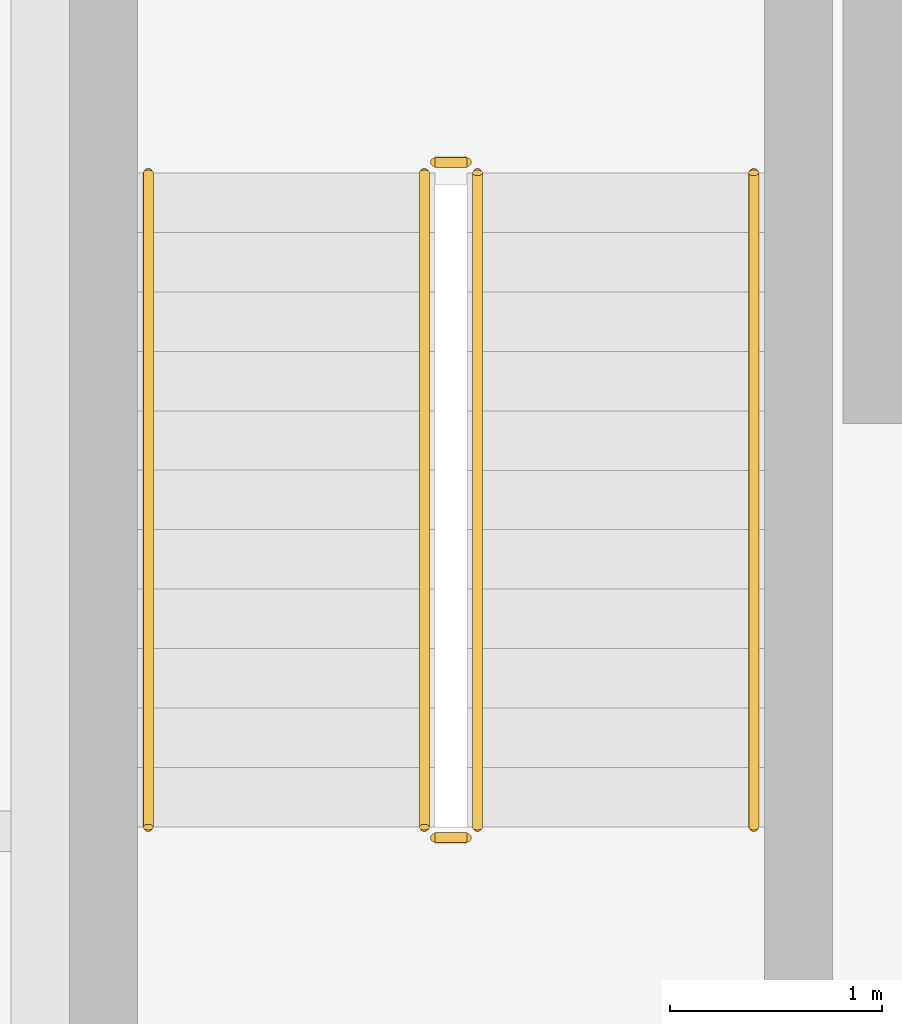
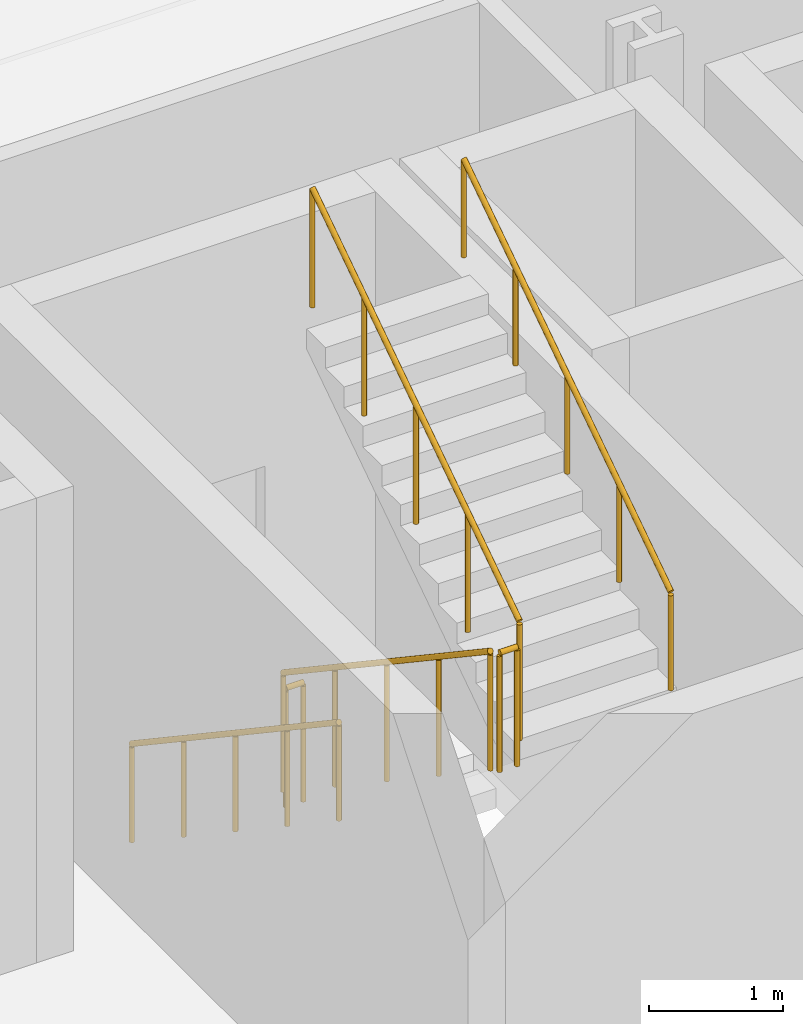
# One storey, part 22 of 25: 6 railings.
"""IFC4 building model written with IfcOpenShell, lengths in metres."""

import ifcopenshell
import ifcopenshell.guid

model = None  # the IFC model being written
_history = None  # IfcOwnerHistory: only IFC2X3 demands one
_inside = {}  # id of a spatial element -> (the spatial element, [elements in it])
_under = {}  # id of a project, library or spatial element -> (it, [spatial elements below it])
_declared = {}  # id of a project -> (the project, [libraries it declares])
_typed = {}  # id of a type object -> (the type object, [elements of that type])
_made_of = {}  # id of a material, layer set ... -> (it, [elements and type objects made of it])


def new_model(schema):
    """Start an empty IFC model of exactly this schema.

    Asked for "IFC4X3", IfcOpenShell would pick the latest addendum, in which some entities
    have other attributes; the version numbers below select the first issue.
    IFC2X3 requires an IfcOwnerHistory on every rooted entity: one is made here for all.
    """
    global model, _history
    if schema == "IFC4X3":
        model = ifcopenshell.file(schema_version=(4, 3, 0, 0))
    else:
        model = ifcopenshell.file(schema=schema)
    _inside.clear()
    _under.clear()
    _declared.clear()
    _typed.clear()
    _made_of.clear()
    _history = None
    if model.schema == "IFC2X3":
        org = make("IfcOrganization", Name="unknown")
        user = make(
            "IfcPersonAndOrganization",
            ThePerson=make("IfcPerson", FamilyName="unknown"),
            TheOrganization=org,
        )
        app = make(
            "IfcApplication",
            ApplicationDeveloper=org,
            Version="unknown",
            ApplicationFullName="unknown",
            ApplicationIdentifier="unknown",
        )
        _history = make(
            "IfcOwnerHistory",
            OwningUser=user,
            OwningApplication=app,
            ChangeAction="ADDED",
            CreationDate=0,
        )
    return model


def make(cls, **values):
    """One entity of the class cls with the attributes given. An attribute that is None is left unset."""
    return model.create_entity(
        cls, **{name: value for name, value in values.items() if value is not None}
    )


def rooted(cls, **values):
    """An entity with a GlobalId (a new one), such as an element, a storey or a relation."""
    return make(cls, GlobalId=ifcopenshell.guid.new(), OwnerHistory=_history, **values)


def si_unit(unit_type, name, prefix=None):
    """IfcSIUnit, for example si_unit("LENGTHUNIT", "METRE", prefix="MILLI")."""
    return make("IfcSIUnit", UnitType=unit_type, Prefix=prefix, Name=name)


def assignment(units):
    """IfcUnitAssignment: the units of a project."""
    return None if units is None else make("IfcUnitAssignment", Units=units)


def point(xyz):
    """IfcCartesianPoint."""
    return None if xyz is None else make("IfcCartesianPoint", Coordinates=xyz)


def direction(xyz):
    """IfcDirection."""
    return None if xyz is None else make("IfcDirection", DirectionRatios=xyz)


def frame(location, z_axis=None, x_axis=None):
    """IfcAxis2Placement3D, a coordinate frame: its origin and axes. An axis left out is left unset."""
    return make(
        "IfcAxis2Placement3D",
        Location=point(location),
        Axis=direction(z_axis),
        RefDirection=direction(x_axis),
    )


def frame_2d(location, x_axis=None):
    """IfcAxis2Placement2D, a coordinate frame in the plane: its origin and x axis."""
    return make(
        "IfcAxis2Placement2D", Location=point(location), RefDirection=direction(x_axis)
    )


def origin():
    """The frame at (0, 0, 0) with its axes left unset."""
    return frame((0.0, 0.0, 0.0))


def origin_2d():
    """The frame at (0, 0) in the plane with its x axis left unset."""
    return frame_2d((0.0, 0.0))


def place(relative_to, where):
    """IfcLocalPlacement: puts the frame where relative to a parent placement (None: the world)."""
    return make(
        "IfcLocalPlacement", PlacementRelTo=relative_to, RelativePlacement=where
    )


def context(
    kind, dimensions, precision=None, world=None, true_north=None, identifier=None
):
    """IfcGeometricRepresentationContext, for example the 3D "Model" context."""
    return make(
        "IfcGeometricRepresentationContext",
        ContextIdentifier=identifier,
        ContextType=kind,
        CoordinateSpaceDimension=dimensions,
        Precision=precision,
        WorldCoordinateSystem=world,
        TrueNorth=true_north,
    )


def subcontext(parent, identifier, kind, view, scale=None):
    """IfcGeometricRepresentationSubContext, for example "Body" below "Model"."""
    return make(
        "IfcGeometricRepresentationSubContext",
        ContextIdentifier=identifier,
        ContextType=kind,
        ParentContext=parent,
        TargetScale=scale,
        TargetView=view,
    )


def project(units=None, contexts=None):
    """IfcProject with its units and contexts."""
    return rooted(
        "IfcProject",
        Name="project",
        RepresentationContexts=contexts,
        UnitsInContext=assignment(units),
    )


def spatial(cls, under=None, at=None, **own):
    """A site, building, storey or space (cls), placed at a placement, below another one or the project."""
    s = rooted(cls, ObjectPlacement=at, **own)
    if under is not None:
        _under.setdefault(under.id(), (under, []))[1].append(s)
    return s


def profile(cls, at=None, kind="AREA", **sizes):
    """A parametric profile (cls). Its sizes go by their IFC names, for example OverallWidth=200.0."""
    return make(cls, ProfileType=kind, Position=at, **sizes)


def circle(**sizes):
    """IfcCircleProfileDef."""
    return profile("IfcCircleProfileDef", **sizes)


def extrude(swept, where, along, depth):
    """IfcExtrudedAreaSolid: the profile swept, set in the frame where, extruded along a direction by depth."""
    return make(
        "IfcExtrudedAreaSolid",
        SweptArea=swept,
        Position=where,
        ExtrudedDirection=direction(along),
        Depth=depth,
    )


def shape(context_of_items, identifier, shape_type, items):
    """IfcShapeRepresentation: the items that make up one representation, for example the "Body"."""
    return make(
        "IfcShapeRepresentation",
        ContextOfItems=context_of_items,
        RepresentationIdentifier=identifier,
        RepresentationType=shape_type,
        Items=items,
    )


def material(Name=None, Category=None):
    """IfcMaterial."""
    return make("IfcMaterial", Name=Name, Category=Category)


def made_of(thing, what):
    """Note that an element or type object is made of a material, layer set ...; save() writes the relation."""
    if what is not None:
        _made_of.setdefault(what.id(), (what, []))[1].append(thing)
    return thing


def type_object(cls, material=None, **own):
    """A type object (cls), such as IfcWallType, which elements share."""
    return made_of(rooted(cls, **own), material)


def element(
    cls,
    number,
    at=None,
    inside=None,
    cuts=None,
    type_object=None,
    material=None,
    context=None,
    identifier="Body",
    shape_type=None,
    held_by="IfcProductDefinitionShape",
    body=None,
    shapes=None,
    **own,
):
    """One element of the class cls, such as IfcWall. Its Tag is "e" and its number.

    at: its placement. inside: the storey or other place that contains it. cuts: it is an
    opening in that element (IfcRelVoidsElement). A single representation is given by context,
    identifier, shape_type and body (its items); several are given by shapes. held_by: the class
    of the entity that holds the representations. save() writes the other relations.
    """
    e = rooted(cls, Tag="e%d" % number, ObjectPlacement=at, **own)
    if body is not None:
        shapes = [shape(context, identifier, shape_type, body)]
    if shapes is not None:
        e.Representation = make(held_by, Representations=shapes)
    if inside is not None:
        _inside.setdefault(inside.id(), (inside, []))[1].append(e)
    if cuts is not None:
        rooted(
            "IfcRelVoidsElement", RelatingBuildingElement=cuts, RelatedOpeningElement=e
        )
    if type_object is not None:
        _typed.setdefault(type_object.id(), (type_object, []))[1].append(e)
    return made_of(e, material)


def aggregate(whole, parts):
    """IfcRelAggregates: a whole, such as a stair, and the parts it consists of."""
    return rooted("IfcRelAggregates", RelatingObject=whole, RelatedObjects=parts)


def save(model, path):
    """Write the relations noted so far, then the file.

    IfcRelAggregates (storeys below a building ...), IfcRelContainedInSpatialStructure (elements
    in a storey), IfcRelDefinesByType, IfcRelAssociatesMaterial and IfcRelDeclares: one each for
    every whole, place, type object, material and project.
    """
    for whole, parts in _under.values():
        aggregate(whole, parts)
    for where, things in _inside.values():
        rooted(
            "IfcRelContainedInSpatialStructure",
            RelatedElements=things,
            RelatingStructure=where,
        )
    for kind, things in _typed.values():
        rooted("IfcRelDefinesByType", RelatedObjects=things, RelatingType=kind)
    for what, things in _made_of.values():
        rooted("IfcRelAssociatesMaterial", RelatedObjects=things, RelatingMaterial=what)
    for by, libraries in _declared.values():
        rooted("IfcRelDeclares", RelatingContext=by, RelatedDefinitions=libraries)
    model.write(path)


model = new_model("IFC4")

# Units and contexts
model_context = context("Model", 3, precision=1e-05, world=origin(), true_north=direction((0.0, 1.0)))
body_context = subcontext(model_context, "Body", "Model", "MODEL_VIEW")
ifc_project = project(units=[si_unit("LENGTHUNIT", "METRE"), si_unit("AREAUNIT", "SQUARE_METRE"), si_unit("VOLUMEUNIT", "CUBIC_METRE"), si_unit("PLANEANGLEUNIT", "RADIAN"), si_unit("MASSUNIT", "GRAM", prefix="KILO")], contexts=[model_context])

# Site, building, storey
site_placement = place(None, origin())
site = spatial("IfcSite", under=ifc_project, at=site_placement, CompositionType="ELEMENT")
building_placement = place(site_placement, origin())
building = spatial("IfcBuilding", under=site, at=building_placement, Name="Brevholm Reach", CompositionType="ELEMENT")
storey_placement = place(building_placement, frame((0.0, 0.0, 13.5)))
storey = spatial("IfcBuildingStorey", under=building, at=storey_placement, Name="L03", CompositionType="ELEMENT", Elevation=13.5)

# Railings
ifc_material_1 = material(Name="Brushed Stainless Steel EN 1.4401 Continuous Handrail", Category="steel")
railing_type_1 = type_object("IfcRailingType", Name="RAL-HND-950", PredefinedType="HANDRAIL", material=ifc_material_1)
railing_1_placement = place(storey_placement, frame((42.5, 8.10009765625, 0.1875)))
element("IfcRailing", 1, at=railing_1_placement, inside=storey, type_object=railing_type_1, Name="L03 ST-2 stair handrail 1", PredefinedType="HANDRAIL", context=body_context, shape_type="SweptSolid", body=[
    extrude(circle(Radius=0.02392578125, at=origin_2d()), frame((0.0, 0.0, 0.8857421875), z_axis=(0.0, -0.830913701846, 0.55640131208), x_axis=(1.0, 0.0, 0.0)), (0.0, 0.0, 1.0), 3.706787109375),
    extrude(circle(Radius=0.02099609375, at=origin_2d()), origin(), (0.0, 0.0, 1.0), 0.86181640625),
    extrude(circle(Radius=0.02099609375, at=origin_2d()), frame((0.0, -0.77001953125, 0.515625)), (0.0, 0.0, 1.0), 0.86181640625),
    extrude(circle(Radius=0.02099609375, at=origin_2d()), frame((0.0, -1.5400390625, 1.03125)), (0.0, 0.0, 1.0), 0.86181640625),
    extrude(circle(Radius=0.02099609375, at=origin_2d()), frame((0.0, -2.31005859375, 1.546875)), (0.0, 0.0, 1.0), 0.86181640625),
    extrude(circle(Radius=0.02099609375, at=origin_2d()), frame((0.0, -3.080078125, 2.0625)), (0.0, 0.0, 1.0), 0.86181640625),
])
railing_2_placement = place(storey_placement, frame((45.35009765625, 5.02001953125, 2.4375)))
element("IfcRailing", 2, at=railing_2_placement, inside=storey, type_object=railing_type_1, Name="L03 ST-2 stair handrail 2", PredefinedType="HANDRAIL", context=body_context, shape_type="SweptSolid", body=[
    extrude(circle(Radius=0.02392578125, at=origin_2d()), frame((0.0, 0.0, 0.8857421875), z_axis=(0.0, 0.830913701846, 0.55640131208), x_axis=(-1.0, 0.0, 0.0)), (0.0, 0.0, 1.0), 3.706787109375),
    extrude(circle(Radius=0.02099609375, at=origin_2d()), origin(), (0.0, 0.0, 1.0), 0.86181640625),
    extrude(circle(Radius=0.02099609375, at=origin_2d()), frame((0.0, 0.77001953125, 0.515625)), (0.0, 0.0, 1.0), 0.86181640625),
    extrude(circle(Radius=0.02099609375, at=origin_2d()), frame((0.0, 1.5400390625, 1.03125)), (0.0, 0.0, 1.0), 0.86181640625),
    extrude(circle(Radius=0.02099609375, at=origin_2d()), frame((0.0, 2.31005859375, 1.546875)), (0.0, 0.0, 1.0), 0.86181640625),
    extrude(circle(Radius=0.02099609375, at=origin_2d()), frame((0.0, 3.080078125, 2.0625)), (0.0, 0.0, 1.0), 0.86181640625),
])
ifc_material_2 = material(Name="Painted Tubular Galvanised Steel S275JR Stair Guard", Category="steel")
railing_type_2 = type_object("IfcRailingType", Name="RAL-STG-1120", PredefinedType="BALUSTRADE", material=ifc_material_2)
railing_3_placement = place(storey_placement, frame((43.800048828125, 8.10009765625, 0.1875)))
element("IfcRailing", 3, at=railing_3_placement, inside=storey, type_object=railing_type_2, Name="L03 ST-2 stair guard 1", PredefinedType="BALUSTRADE", context=body_context, shape_type="SweptSolid", body=[
    extrude(circle(Radius=0.02392578125, at=origin_2d()), frame((0.0, 0.0, 1.076171875), z_axis=(0.0, -0.830913701846, 0.55640131208), x_axis=(1.0, 0.0, 0.0)), (0.0, 0.0, 1.0), 3.706787109375),
    extrude(circle(Radius=0.02099609375, at=origin_2d()), origin(), (0.0, 0.0, 1.0), 1.052001953125),
    extrude(circle(Radius=0.02099609375, at=origin_2d()), frame((0.0, -0.77001953125, 0.515625)), (0.0, 0.0, 1.0), 1.052001953125),
    extrude(circle(Radius=0.02099609375, at=origin_2d()), frame((0.0, -1.5400390625, 1.03125)), (0.0, 0.0, 1.0), 1.052001953125),
    extrude(circle(Radius=0.02099609375, at=origin_2d()), frame((0.0, -2.31005859375, 1.546875)), (0.0, 0.0, 1.0), 1.052001953125),
    extrude(circle(Radius=0.02099609375, at=origin_2d()), frame((0.0, -3.080078125, 2.0625)), (0.0, 0.0, 1.0), 1.052001953125),
])
railing_4_placement = place(storey_placement, frame((43.85009765625, 4.969970703125, 2.25)))
element("IfcRailing", 4, at=railing_4_placement, inside=storey, type_object=railing_type_2, Name="L03 ST-2 stair guard 2", PredefinedType="BALUSTRADE", context=body_context, shape_type="SweptSolid", body=[
    extrude(circle(Radius=0.02392578125, at=origin_2d()), frame((0.0, 0.0, 1.076171875), z_axis=(1.0, 0.0, 0.0), x_axis=(0.0, 1.0, 0.0)), (0.0, 0.0, 1.0), 0.14990234375),
    extrude(circle(Radius=0.02099609375, at=origin_2d()), origin(), (0.0, 0.0, 1.0), 1.052001953125),
    extrude(circle(Radius=0.02099609375, at=origin_2d()), frame((0.14990234375, 0.0, 0.0)), (0.0, 0.0, 1.0), 1.052001953125),
])
railing_5_placement = place(storey_placement, frame((44.050048828125, 5.02001953125, 2.4375)))
element("IfcRailing", 5, at=railing_5_placement, inside=storey, type_object=railing_type_2, Name="L03 ST-2 stair guard 3", PredefinedType="BALUSTRADE", context=body_context, shape_type="SweptSolid", body=[
    extrude(circle(Radius=0.02392578125, at=origin_2d()), frame((0.0, 0.0, 1.076171875), z_axis=(0.0, 0.830913701846, 0.55640131208), x_axis=(-1.0, 0.0, 0.0)), (0.0, 0.0, 1.0), 3.706787109375),
    extrude(circle(Radius=0.02099609375, at=origin_2d()), origin(), (0.0, 0.0, 1.0), 1.052001953125),
    extrude(circle(Radius=0.02099609375, at=origin_2d()), frame((0.0, 0.77001953125, 0.515625)), (0.0, 0.0, 1.0), 1.052001953125),
    extrude(circle(Radius=0.02099609375, at=origin_2d()), frame((0.0, 1.5400390625, 1.03125)), (0.0, 0.0, 1.0), 1.052001953125),
    extrude(circle(Radius=0.02099609375, at=origin_2d()), frame((0.0, 2.31005859375, 1.546875)), (0.0, 0.0, 1.0), 1.052001953125),
    extrude(circle(Radius=0.02099609375, at=origin_2d()), frame((0.0, 3.080078125, 2.0625)), (0.0, 0.0, 1.0), 1.052001953125),
])
railing_6_placement = place(storey_placement, frame((43.85009765625, 8.14990234375, 0.0)))
element("IfcRailing", 6, at=railing_6_placement, inside=storey, type_object=railing_type_2, Name="L03 ST-2 stair guard 4", PredefinedType="BALUSTRADE", context=body_context, shape_type="SweptSolid", body=[
    extrude(circle(Radius=0.02392578125, at=origin_2d()), frame((0.0, 0.0, 1.076171875), z_axis=(1.0, 0.0, 0.0), x_axis=(0.0, 1.0, 0.0)), (0.0, 0.0, 1.0), 0.14990234375),
    extrude(circle(Radius=0.02099609375, at=origin_2d()), origin(), (0.0, 0.0, 1.0), 1.052001953125),
    extrude(circle(Radius=0.02099609375, at=origin_2d()), frame((0.14990234375, 0.0, 0.0)), (0.0, 0.0, 1.0), 1.052001953125),
])

save(model, "model.ifc")
